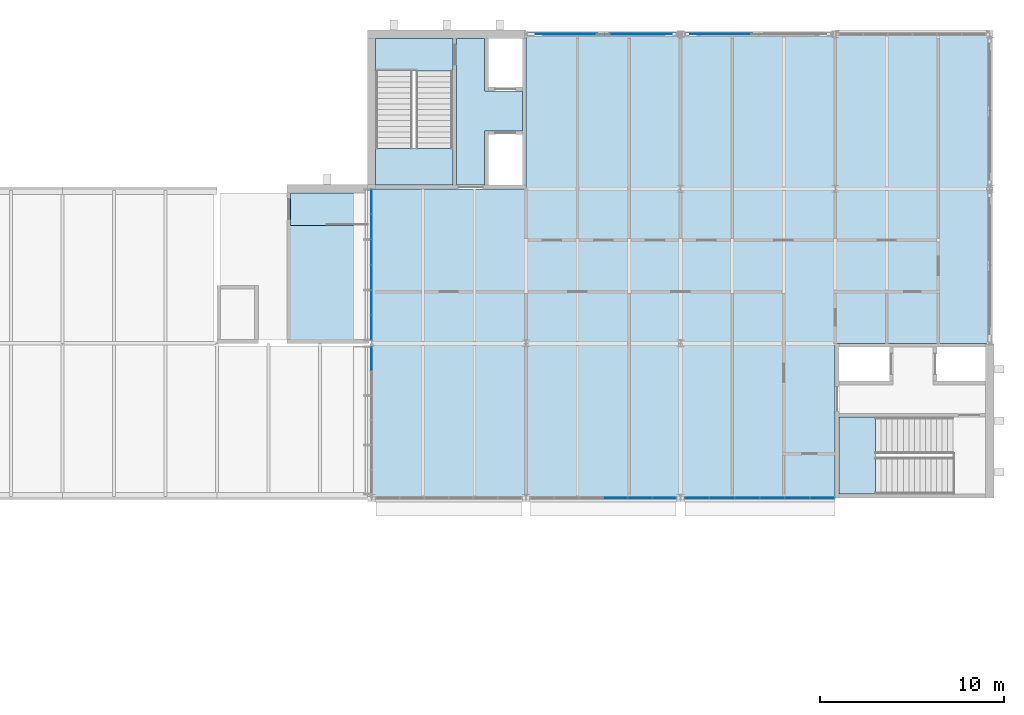
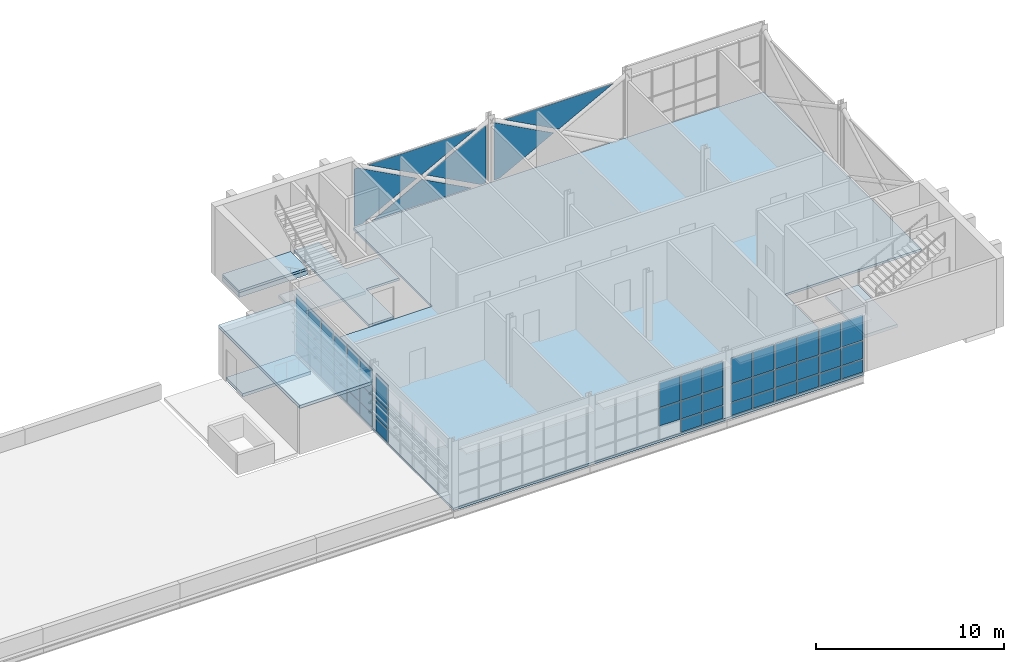
# One storey, part 18 of 29: 53 plates, 8 slabs, 8 elements without a shape of their own.
"""IFC4 building model written with IfcOpenShell, lengths in metres."""

from ifc_helpers import new_model, si_unit, direction, frame, origin, origin_2d, place, context, subcontext, project, spatial, polyline, rectangle, outline, extrude, material, layer, layer_set, type_object, element, aggregate, save


model = new_model("IFC4")

# Units and contexts
model_context = context("Model", 3, precision=1e-05, world=origin(), true_north=direction((0.0, 1.0)))
body_context = subcontext(model_context, "Body", "Model", "MODEL_VIEW")
ifc_project = project(units=[si_unit("LENGTHUNIT", "METRE"), si_unit("AREAUNIT", "SQUARE_METRE"), si_unit("VOLUMEUNIT", "CUBIC_METRE"), si_unit("PLANEANGLEUNIT", "RADIAN"), si_unit("MASSUNIT", "GRAM", prefix="KILO")], contexts=[model_context])

# Site, building, storey
site_placement = place(None, origin())
site = spatial("IfcSite", under=ifc_project, at=site_placement, CompositionType="ELEMENT")
building_placement = place(site_placement, origin())
building = spatial("IfcBuilding", under=site, at=building_placement, Name="Ardhachandra Cancer Care Centre", CompositionType="ELEMENT")
storey_placement = place(building_placement, frame((0.0, 0.0, 13.5)))
storey = spatial("IfcBuildingStorey", under=building, at=storey_placement, Name="L03", CompositionType="ELEMENT", Elevation=13.5)

# Slabs
ifc_material_1 = material(Name="Composite slab Concrete M30 on steel deck", Category="concrete")
ifc_layer_1 = layer(ifc_material_1, 0.14990234375)
ifc_layer_set_1 = layer_set([ifc_layer_1], Name="Composite slab Concrete M30 on steel deck")
slab_type_1 = type_object("IfcSlabType", Name="Composite floor slab 150", PredefinedType="FLOOR", material=ifc_layer_set_1)
slab_1_placement = place(storey_placement, frame((0.0, 0.0, -0.14990234375)))
element("IfcSlab", 1, at=slab_1_placement, inside=storey, type_object=slab_type_1, Name="Floor slab V5", PredefinedType="FLOOR", context=body_context, shape_type="SweptSolid", body=[
    extrude(outline(polyline([(120.0, 105.0), (120.0, 96.60009765625), (111.60009765625, 96.60009765625), (111.60009765625, 88.199951171875), (111.60009765625, 79.800048828125), (136.800048828125, 79.800048828125), (136.800048828125, 88.199951171875), (145.199951171875, 88.199951171875), (145.199951171875, 105.0), (120.0, 105.0)])), origin(), (0.0, 0.0, 1.0), 0.14990234375),
])
ifc_material_2 = material(Name="Concrete M40", Category="concrete")
ifc_layer_2 = layer(ifc_material_2, 0.14990234375)
ifc_layer_set_2 = layer_set([ifc_layer_2], Name="Concrete M40")
slab_type_2 = type_object("IfcSlabType", Name="Core floor slab 150", PredefinedType="FLOOR", material=ifc_layer_set_2)
slab_2_placement = place(storey_placement, frame((0.0, 0.0, -0.14990234375)))
element("IfcSlab", 2, at=slab_2_placement, inside=storey, type_object=slab_type_2, Name="Core floor slab K12 L03 1", PredefinedType="FLOOR", context=body_context, shape_type="SweptSolid", body=[
    extrude(outline(polyline([(111.824951171875, 104.77490234375), (116.02490234375, 104.77490234375), (116.02490234375, 103.0), (111.824951171875, 103.0), (111.824951171875, 104.77490234375)])), origin(), (0.0, 0.0, 1.0), 0.14990234375),
])
slab_3_placement = place(storey_placement, frame((0.0, 0.0, -0.14990234375)))
element("IfcSlab", 3, at=slab_3_placement, inside=storey, type_object=slab_type_2, Name="Core floor slab K12 L03 2", PredefinedType="FLOOR", context=body_context, shape_type="SweptSolid", body=[
    extrude(outline(polyline([(119.800048828125, 99.75), (117.949951171875, 99.75), (117.75, 99.75), (117.75, 96.800048828125), (116.22509765625, 96.800048828125), (116.22509765625, 104.77490234375), (117.75, 104.77490234375), (117.75, 101.925048828125), (117.949951171875, 101.925048828125), (119.800048828125, 101.925048828125), (119.800048828125, 99.75)])), origin(), (0.0, 0.0, 1.0), 0.14990234375),
])
ifc_material_3 = material(Name="Concrete M40", Category="concrete")
ifc_layer_3 = layer(ifc_material_3, 0.199951171875)
ifc_layer_set_3 = layer_set([ifc_layer_3], Name="Concrete M40")
slab_type_3 = type_object("IfcSlabType", Name="Core head-house floor slab 200", PredefinedType="FLOOR", material=ifc_layer_set_3)
slab_4_placement = place(storey_placement, frame((0.0, 0.0, -0.199951171875)))
element("IfcSlab", 4, at=slab_4_placement, inside=storey, type_object=slab_type_3, Name="Stair head-house floor slab K7 1", PredefinedType="FLOOR", context=body_context, shape_type="SweptSolid", body=[
    extrude(outline(polyline([(107.199951171875, 96.375), (107.199951171875, 94.60009765625), (111.39990234375, 94.60009765625), (111.39990234375, 96.375), (107.199951171875, 96.375)])), origin(), (0.0, 0.0, 1.0), 0.199951171875),
])
ifc_material_4 = material(Name="Concrete M40", Category="concrete")
ifc_layer_4 = layer(ifc_material_4, 0.300048828125)
ifc_layer_set_4 = layer_set([ifc_layer_4], Name="Concrete M40")
slab_type_4 = type_object("IfcSlabType", Name="Core stair edge slab 300", PredefinedType="FLOOR", material=ifc_layer_set_4)
slab_5_placement = place(storey_placement, frame((0.0, 0.0, -0.449951171875)))
element("IfcSlab", 5, at=slab_5_placement, inside=storey, type_object=slab_type_4, Name="Core stair edge slab K12 L03", PredefinedType="FLOOR", context=body_context, shape_type="SweptSolid", body=[
    extrude(outline(polyline([(111.824951171875, 103.0), (116.02490234375, 103.0), (116.02490234375, 104.77490234375), (111.824951171875, 104.77490234375), (111.824951171875, 103.0)])), origin(), (0.0, 0.0, 1.0), 0.300048828125),
])

# Curtain wall, plates
ifc_material_5 = material(Name="Aluminium extrusion", Category="aluminium")
ifc_layer_5 = layer(ifc_material_5, 0.14990234375)
ifc_layer_set_5 = layer_set([ifc_layer_5], Name="Aluminium extrusion")
curtain_wall_type = type_object("IfcCurtainWallType", Name="Curtain wall run", PredefinedType="NOTDEFINED", material=ifc_layer_set_5)
curtain_wall_1_placement = place(storey_placement, origin())
curtain_wall_1 = element("IfcCurtainWall", 6, at=curtain_wall_1_placement, inside=storey, type_object=curtain_wall_type, Name="Curtain wall L03 n/0120000_0105000", PredefinedType="NOTDEFINED")
ifc_material_6 = material(Name="Low-iron double-glazed unit")
ifc_layer_6 = layer(ifc_material_6, 0.028076171875)
ifc_layer_set_6 = layer_set([ifc_layer_6], Name="Low-iron double-glazed unit")
plate_type_1 = type_object("IfcPlateType", Name="Curtain wall glazing 28", PredefinedType="CURTAIN_PANEL", material=ifc_layer_set_6)
plate_1_placement = place(storey_placement, frame((128.154541015625, 105.0, 3.7900390625), z_axis=(0.0, 1.0, 0.0), x_axis=(0.0, 0.0, -1.0)))
plate_1 = element("IfcPlate", 7, at=plate_1_placement, type_object=plate_type_1, Name="CW panel 1.1", PredefinedType="CURTAIN_PANEL", context=body_context, shape_type="SweptSolid", body=[
    extrude(outline(polyline([(0.0, 0.0), (3.72998046875, 0.0), (3.72998046875, 0.322021484375), (1.93994140625, 3.663330078125), (0.0, 0.0419921875), (0.0, 0.0)])), origin(), (0.0, 0.0, 1.0), 0.028076171875),
])
plate_2_placement = place(storey_placement, frame((127.5302734375, 105.0, 3.7900390625), z_axis=(0.0, 1.0, 0.0), x_axis=(-0.881498222146, 0.0, -0.472187340314)))
plate_2 = element("IfcPlate", 8, at=plate_2_placement, type_object=plate_type_1, Name="CW panel 1.1", PredefinedType="CURTAIN_PANEL", context=body_context, shape_type="SweptSolid", body=[
    extrude(outline(polyline([(0.0, 0.0), (3.778076171875, 0.0), (5.87109375, 3.14501953125), (0.0, 0.0)])), frame((0.0, 0.0, -0.028076171875)), (0.0, 0.0, 1.0), 0.028076171875),
])
plate_3_placement = place(storey_placement, frame((120.06005859375, 105.0, 0.06005859375), z_axis=(0.0, 1.0, 0.0), x_axis=(0.0, 0.0, 1.0)))
plate_3 = element("IfcPlate", 9, at=plate_3_placement, type_object=plate_type_1, Name="CW panel 1.1", PredefinedType="CURTAIN_PANEL", context=body_context, shape_type="SweptSolid", body=[
    extrude(outline(polyline([(0.0, 0.0), (3.72998046875, 0.0), (3.72998046875, 0.2275390625), (1.7900390625, 3.848876953125), (0.0, 0.50732421875), (0.0, 0.0)])), origin(), (0.0, 0.0, 1.0), 0.028076171875),
])
plate_4_placement = place(storey_placement, frame((121.14990234375, 105.0, 0.06005859375), z_axis=(0.0, 1.0, 0.0), x_axis=(0.881470529599, 0.0, 0.472239034228)))
plate_4 = element("IfcPlate", 10, at=plate_4_placement, type_object=plate_type_1, Name="CW panel 1.1", PredefinedType="CURTAIN_PANEL", context=body_context, shape_type="SweptSolid", body=[
    extrude(outline(polyline([(0.0, 0.0), (3.460205078125, 0.0), (5.377197265625, 2.880859375), (0.0, 0.0)])), frame((0.0, 0.0, -0.028076171875)), (0.0, 0.0, 1.0), 0.028076171875),
])
aggregate(curtain_wall_1, [plate_1, plate_2, plate_3, plate_4])

curtain_wall_2_placement = place(storey_placement, origin())
curtain_wall_2 = element("IfcCurtainWall", 11, at=curtain_wall_2_placement, inside=storey, type_object=curtain_wall_type, Name="Curtain wall L03 n/0128400_0105000", PredefinedType="NOTDEFINED")
plate_5_placement = place(storey_placement, frame((135.93017578125, 105.0, 3.7900390625), z_axis=(0.0, 1.0, 0.0), x_axis=(-0.881483812908, 0.0, -0.47221423907)))
plate_5 = element("IfcPlate", 12, at=plate_5_placement, type_object=plate_type_1, Name="CW panel 1.1", PredefinedType="CURTAIN_PANEL", context=body_context, shape_type="SweptSolid", body=[
    extrude(outline(polyline([(0.0, 0.0), (3.77783203125, 0.0), (5.87109375, 3.14501953125), (0.0, 0.0)])), frame((0.0, 0.0, -0.028076171875)), (0.0, 0.0, 1.0), 0.028076171875),
])
plate_6_placement = place(storey_placement, frame((128.6455078125, 105.0, 0.06005859375), z_axis=(0.0, 1.0, 0.0), x_axis=(0.0, 0.0, 1.0)))
plate_6 = element("IfcPlate", 13, at=plate_6_placement, type_object=plate_type_1, Name="CW panel 1.1", PredefinedType="CURTAIN_PANEL", context=body_context, shape_type="SweptSolid", body=[
    extrude(outline(polyline([(0.0, 0.0), (3.72998046875, 0.0), (3.72998046875, 0.0419921875), (1.7900390625, 3.663330078125), (0.0, 0.322021484375), (0.0, 0.0)])), origin(), (0.0, 0.0, 1.0), 0.028076171875),
])
aggregate(curtain_wall_2, [plate_5, plate_6])

curtain_wall_3_placement = place(storey_placement, origin())
curtain_wall_3 = element("IfcCurtainWall", 14, at=curtain_wall_3_placement, inside=storey, type_object=curtain_wall_type, Name="Curtain wall L03 s/0120000_0079800", PredefinedType="NOTDEFINED")
plate_7_placement = place(storey_placement, frame((124.8671875, 79.800048828125, 0.93017578125), z_axis=(0.0, 0.0, 1.0), x_axis=(1.0, 0.0, 0.0)))
plate_7 = element("IfcPlate", 15, at=plate_7_placement, type_object=plate_type_1, Name="CW panel 4.2", PredefinedType="CURTAIN_PANEL", context=body_context, shape_type="SweptSolid", body=[
    extrude(rectangle(XDim=1.274169921875, YDim=0.028076171875, at=origin_2d()), origin(), (0.0, 0.0, 1.0), 1.139892578125),
])
plate_8_placement = place(storey_placement, frame((124.8671875, 79.800048828125, 2.1298828125), z_axis=(0.0, 0.0, 1.0), x_axis=(1.0, 0.0, 0.0)))
plate_8 = element("IfcPlate", 16, at=plate_8_placement, type_object=plate_type_1, Name="CW panel 4.3", PredefinedType="CURTAIN_PANEL", context=body_context, shape_type="SweptSolid", body=[
    extrude(rectangle(XDim=1.274169921875, YDim=0.028076171875, at=origin_2d()), origin(), (0.0, 0.0, 1.0), 1.659912109375),
])
plate_9_placement = place(storey_placement, frame((126.201171875, 79.800048828125, 0.93017578125), z_axis=(0.0, 0.0, 1.0), x_axis=(1.0, 0.0, 0.0)))
plate_9 = element("IfcPlate", 17, at=plate_9_placement, type_object=plate_type_1, Name="CW panel 5.2", PredefinedType="CURTAIN_PANEL", context=body_context, shape_type="SweptSolid", body=[
    extrude(rectangle(XDim=1.274169921875, YDim=0.028076171875, at=origin_2d()), origin(), (0.0, 0.0, 1.0), 1.139892578125),
])
plate_10_placement = place(storey_placement, frame((126.201171875, 79.800048828125, 2.1298828125), z_axis=(0.0, 0.0, 1.0), x_axis=(1.0, 0.0, 0.0)))
plate_10 = element("IfcPlate", 18, at=plate_10_placement, type_object=plate_type_1, Name="CW panel 5.3", PredefinedType="CURTAIN_PANEL", context=body_context, shape_type="SweptSolid", body=[
    extrude(rectangle(XDim=1.274169921875, YDim=0.028076171875, at=origin_2d()), origin(), (0.0, 0.0, 1.0), 1.659912109375),
])
plate_11_placement = place(storey_placement, frame((127.5205078125, 79.800048828125, 0.93017578125), z_axis=(0.0, 0.0, 1.0), x_axis=(1.0, 0.0, 0.0)))
plate_11 = element("IfcPlate", 19, at=plate_11_placement, type_object=plate_type_1, Name="CW panel 6.2", PredefinedType="CURTAIN_PANEL", context=body_context, shape_type="SweptSolid", body=[
    extrude(rectangle(XDim=1.244140625, YDim=0.028076171875, at=origin_2d()), origin(), (0.0, 0.0, 1.0), 1.139892578125),
])
plate_12_placement = place(storey_placement, frame((127.5205078125, 79.800048828125, 2.1298828125), z_axis=(0.0, 0.0, 1.0), x_axis=(1.0, 0.0, 0.0)))
plate_12 = element("IfcPlate", 20, at=plate_12_placement, type_object=plate_type_1, Name="CW panel 6.3", PredefinedType="CURTAIN_PANEL", context=body_context, shape_type="SweptSolid", body=[
    extrude(rectangle(XDim=1.244140625, YDim=0.028076171875, at=origin_2d()), origin(), (0.0, 0.0, 1.0), 1.659912109375),
])

curtain_wall_4_placement = place(storey_placement, origin())
curtain_wall_4 = element("IfcCurtainWall", 21, at=curtain_wall_4_placement, inside=storey, type_object=curtain_wall_type, Name="Curtain wall L03 s/0128400_0079800", PredefinedType="NOTDEFINED")
plate_13_placement = place(storey_placement, frame((129.296142578125, 79.800048828125, 0.93017578125), z_axis=(0.0, 0.0, 1.0), x_axis=(1.0, 0.0, 0.0)))
plate_13 = element("IfcPlate", 22, at=plate_13_placement, type_object=plate_type_1, Name="CW panel 1.2", PredefinedType="CURTAIN_PANEL", context=body_context, shape_type="SweptSolid", body=[
    extrude(rectangle(XDim=1.277099609375, YDim=0.028076171875, at=origin_2d()), origin(), (0.0, 0.0, 1.0), 1.139892578125),
])
plate_14_placement = place(storey_placement, frame((129.296142578125, 79.800048828125, 2.1298828125), z_axis=(0.0, 0.0, 1.0), x_axis=(1.0, 0.0, 0.0)))
plate_14 = element("IfcPlate", 23, at=plate_14_placement, type_object=plate_type_1, Name="CW panel 1.3", PredefinedType="CURTAIN_PANEL", context=body_context, shape_type="SweptSolid", body=[
    extrude(rectangle(XDim=1.277099609375, YDim=0.028076171875, at=origin_2d()), origin(), (0.0, 0.0, 1.0), 1.659912109375),
])
plate_15_placement = place(storey_placement, frame((130.648193359375, 79.800048828125, 0.93017578125), z_axis=(0.0, 0.0, 1.0), x_axis=(1.0, 0.0, 0.0)))
plate_15 = element("IfcPlate", 24, at=plate_15_placement, type_object=plate_type_1, Name="CW panel 2.2", PredefinedType="CURTAIN_PANEL", context=body_context, shape_type="SweptSolid", body=[
    extrude(rectangle(XDim=1.30712890625, YDim=0.028076171875, at=origin_2d()), origin(), (0.0, 0.0, 1.0), 1.139892578125),
])
plate_16_placement = place(storey_placement, frame((130.648193359375, 79.800048828125, 2.1298828125), z_axis=(0.0, 0.0, 1.0), x_axis=(1.0, 0.0, 0.0)))
plate_16 = element("IfcPlate", 25, at=plate_16_placement, type_object=plate_type_1, Name="CW panel 2.3", PredefinedType="CURTAIN_PANEL", context=body_context, shape_type="SweptSolid", body=[
    extrude(rectangle(XDim=1.30712890625, YDim=0.028076171875, at=origin_2d()), origin(), (0.0, 0.0, 1.0), 1.659912109375),
])
plate_17_placement = place(storey_placement, frame((132.01513671875, 79.800048828125, 0.93017578125), z_axis=(0.0, 0.0, 1.0), x_axis=(1.0, 0.0, 0.0)))
plate_17 = element("IfcPlate", 26, at=plate_17_placement, type_object=plate_type_1, Name="CW panel 3.2", PredefinedType="CURTAIN_PANEL", context=body_context, shape_type="SweptSolid", body=[
    extrude(rectangle(XDim=1.30712890625, YDim=0.028076171875, at=origin_2d()), origin(), (0.0, 0.0, 1.0), 1.139892578125),
])
plate_18_placement = place(storey_placement, frame((132.01513671875, 79.800048828125, 2.1298828125), z_axis=(0.0, 0.0, 1.0), x_axis=(1.0, 0.0, 0.0)))
plate_18 = element("IfcPlate", 27, at=plate_18_placement, type_object=plate_type_1, Name="CW panel 3.3", PredefinedType="CURTAIN_PANEL", context=body_context, shape_type="SweptSolid", body=[
    extrude(rectangle(XDim=1.30712890625, YDim=0.028076171875, at=origin_2d()), origin(), (0.0, 0.0, 1.0), 1.659912109375),
])
plate_19_placement = place(storey_placement, frame((133.38232421875, 79.800048828125, 0.93017578125), z_axis=(0.0, 0.0, 1.0), x_axis=(1.0, 0.0, 0.0)))
plate_19 = element("IfcPlate", 28, at=plate_19_placement, type_object=plate_type_1, Name="CW panel 4.2", PredefinedType="CURTAIN_PANEL", context=body_context, shape_type="SweptSolid", body=[
    extrude(rectangle(XDim=1.30712890625, YDim=0.028076171875, at=origin_2d()), origin(), (0.0, 0.0, 1.0), 1.139892578125),
])
plate_20_placement = place(storey_placement, frame((133.38232421875, 79.800048828125, 2.1298828125), z_axis=(0.0, 0.0, 1.0), x_axis=(1.0, 0.0, 0.0)))
plate_20 = element("IfcPlate", 29, at=plate_20_placement, type_object=plate_type_1, Name="CW panel 4.3", PredefinedType="CURTAIN_PANEL", context=body_context, shape_type="SweptSolid", body=[
    extrude(rectangle(XDim=1.30712890625, YDim=0.028076171875, at=origin_2d()), origin(), (0.0, 0.0, 1.0), 1.659912109375),
])

curtain_wall_5_placement = place(storey_placement, origin())
curtain_wall_5 = element("IfcCurtainWall", 30, at=curtain_wall_5_placement, inside=storey, type_object=curtain_wall_type, Name="Curtain wall L03 w/0111600_0079800", PredefinedType="NOTDEFINED")
plate_21_placement = place(storey_placement, frame((111.60009765625, 87.36328125, 0.93017578125), z_axis=(0.0, 0.0, 1.0), x_axis=(0.0, 1.0, 0.0)))
plate_21 = element("IfcPlate", 31, at=plate_21_placement, type_object=plate_type_1, Name="CW panel 6.2", PredefinedType="CURTAIN_PANEL", context=body_context, shape_type="SweptSolid", body=[
    extrude(rectangle(XDim=1.25341796875, YDim=0.028076171875, at=origin_2d()), origin(), (0.0, 0.0, 1.0), 1.139892578125),
])
plate_22_placement = place(storey_placement, frame((111.60009765625, 87.36328125, 2.1298828125), z_axis=(0.0, 0.0, 1.0), x_axis=(0.0, 1.0, 0.0)))
plate_22 = element("IfcPlate", 32, at=plate_22_placement, type_object=plate_type_1, Name="CW panel 6.3", PredefinedType="CURTAIN_PANEL", context=body_context, shape_type="SweptSolid", body=[
    extrude(rectangle(XDim=1.25341796875, YDim=0.028076171875, at=origin_2d()), origin(), (0.0, 0.0, 1.0), 1.659912109375),
])

curtain_wall_6_placement = place(storey_placement, origin())
curtain_wall_6 = element("IfcCurtainWall", 33, at=curtain_wall_6_placement, inside=storey, type_object=curtain_wall_type, Name="Curtain wall L03 w/0111600_0088200", PredefinedType="NOTDEFINED")
plate_23_placement = place(storey_placement, frame((111.60009765625, 89.052490234375, 0.93017578125), z_axis=(0.0, 0.0, 1.0), x_axis=(0.0, 1.0, 0.0)))
plate_23 = element("IfcPlate", 34, at=plate_23_placement, type_object=plate_type_1, Name="CW panel 1.2", PredefinedType="CURTAIN_PANEL", context=body_context, shape_type="SweptSolid", body=[
    extrude(rectangle(XDim=1.284912109375, YDim=0.028076171875, at=origin_2d()), origin(), (0.0, 0.0, 1.0), 1.139892578125),
])
plate_24_placement = place(storey_placement, frame((111.60009765625, 89.052490234375, 2.1298828125), z_axis=(0.0, 0.0, 1.0), x_axis=(0.0, 1.0, 0.0)))
plate_24 = element("IfcPlate", 35, at=plate_24_placement, type_object=plate_type_1, Name="CW panel 1.3", PredefinedType="CURTAIN_PANEL", context=body_context, shape_type="SweptSolid", body=[
    extrude(rectangle(XDim=1.284912109375, YDim=0.028076171875, at=origin_2d()), origin(), (0.0, 0.0, 1.0), 1.659912109375),
])
plate_25_placement = place(storey_placement, frame((111.60009765625, 90.41259765625, 0.93017578125), z_axis=(0.0, 0.0, 1.0), x_axis=(0.0, 1.0, 0.0)))
plate_25 = element("IfcPlate", 36, at=plate_25_placement, type_object=plate_type_1, Name="CW panel 2.2", PredefinedType="CURTAIN_PANEL", context=body_context, shape_type="SweptSolid", body=[
    extrude(rectangle(XDim=1.31494140625, YDim=0.028076171875, at=origin_2d()), origin(), (0.0, 0.0, 1.0), 1.139892578125),
])
plate_26_placement = place(storey_placement, frame((111.60009765625, 90.41259765625, 2.1298828125), z_axis=(0.0, 0.0, 1.0), x_axis=(0.0, 1.0, 0.0)))
plate_26 = element("IfcPlate", 37, at=plate_26_placement, type_object=plate_type_1, Name="CW panel 2.3", PredefinedType="CURTAIN_PANEL", context=body_context, shape_type="SweptSolid", body=[
    extrude(rectangle(XDim=1.31494140625, YDim=0.028076171875, at=origin_2d()), origin(), (0.0, 0.0, 1.0), 1.659912109375),
])
plate_27_placement = place(storey_placement, frame((111.60009765625, 91.78759765625, 0.93017578125), z_axis=(0.0, 0.0, 1.0), x_axis=(0.0, 1.0, 0.0)))
plate_27 = element("IfcPlate", 38, at=plate_27_placement, type_object=plate_type_1, Name="CW panel 3.2", PredefinedType="CURTAIN_PANEL", context=body_context, shape_type="SweptSolid", body=[
    extrude(rectangle(XDim=1.31494140625, YDim=0.028076171875, at=origin_2d()), origin(), (0.0, 0.0, 1.0), 1.139892578125),
])
plate_28_placement = place(storey_placement, frame((111.60009765625, 91.78759765625, 2.1298828125), z_axis=(0.0, 0.0, 1.0), x_axis=(0.0, 1.0, 0.0)))
plate_28 = element("IfcPlate", 39, at=plate_28_placement, type_object=plate_type_1, Name="CW panel 3.3", PredefinedType="CURTAIN_PANEL", context=body_context, shape_type="SweptSolid", body=[
    extrude(rectangle(XDim=1.31494140625, YDim=0.028076171875, at=origin_2d()), origin(), (0.0, 0.0, 1.0), 1.659912109375),
])
plate_29_placement = place(storey_placement, frame((111.60009765625, 93.16259765625, 0.93017578125), z_axis=(0.0, 0.0, 1.0), x_axis=(0.0, 1.0, 0.0)))
plate_29 = element("IfcPlate", 40, at=plate_29_placement, type_object=plate_type_1, Name="CW panel 4.2", PredefinedType="CURTAIN_PANEL", context=body_context, shape_type="SweptSolid", body=[
    extrude(rectangle(XDim=1.31494140625, YDim=0.028076171875, at=origin_2d()), origin(), (0.0, 0.0, 1.0), 1.139892578125),
])
plate_30_placement = place(storey_placement, frame((111.60009765625, 93.16259765625, 2.1298828125), z_axis=(0.0, 0.0, 1.0), x_axis=(0.0, 1.0, 0.0)))
plate_30 = element("IfcPlate", 41, at=plate_30_placement, type_object=plate_type_1, Name="CW panel 4.3", PredefinedType="CURTAIN_PANEL", context=body_context, shape_type="SweptSolid", body=[
    extrude(rectangle(XDim=1.31494140625, YDim=0.028076171875, at=origin_2d()), origin(), (0.0, 0.0, 1.0), 1.659912109375),
])
plate_31_placement = place(storey_placement, frame((111.60009765625, 94.53759765625, 0.93017578125), z_axis=(0.0, 0.0, 1.0), x_axis=(0.0, 1.0, 0.0)))
plate_31 = element("IfcPlate", 42, at=plate_31_placement, type_object=plate_type_1, Name="CW panel 5.2", PredefinedType="CURTAIN_PANEL", context=body_context, shape_type="SweptSolid", body=[
    extrude(rectangle(XDim=1.31494140625, YDim=0.028076171875, at=origin_2d()), origin(), (0.0, 0.0, 1.0), 1.139892578125),
])
plate_32_placement = place(storey_placement, frame((111.60009765625, 94.53759765625, 2.1298828125), z_axis=(0.0, 0.0, 1.0), x_axis=(0.0, 1.0, 0.0)))
plate_32 = element("IfcPlate", 43, at=plate_32_placement, type_object=plate_type_1, Name="CW panel 5.3", PredefinedType="CURTAIN_PANEL", context=body_context, shape_type="SweptSolid", body=[
    extrude(rectangle(XDim=1.31494140625, YDim=0.028076171875, at=origin_2d()), origin(), (0.0, 0.0, 1.0), 1.659912109375),
])
plate_33_placement = place(storey_placement, frame((111.60009765625, 95.8974609375, 0.93017578125), z_axis=(0.0, 0.0, 1.0), x_axis=(0.0, 1.0, 0.0)))
plate_33 = element("IfcPlate", 44, at=plate_33_placement, type_object=plate_type_1, Name="CW panel 6.2", PredefinedType="CURTAIN_PANEL", context=body_context, shape_type="SweptSolid", body=[
    extrude(rectangle(XDim=1.284912109375, YDim=0.028076171875, at=origin_2d()), origin(), (0.0, 0.0, 1.0), 1.139892578125),
])
plate_34_placement = place(storey_placement, frame((111.60009765625, 95.8974609375, 2.1298828125), z_axis=(0.0, 0.0, 1.0), x_axis=(0.0, 1.0, 0.0)))
plate_34 = element("IfcPlate", 45, at=plate_34_placement, type_object=plate_type_1, Name="CW panel 6.3", PredefinedType="CURTAIN_PANEL", context=body_context, shape_type="SweptSolid", body=[
    extrude(rectangle(XDim=1.284912109375, YDim=0.028076171875, at=origin_2d()), origin(), (0.0, 0.0, 1.0), 1.659912109375),
])

# Plate
ifc_material_7 = material(Name="Aluminium composite spandrel panel", Category="aluminium")
ifc_layer_7 = layer(ifc_material_7, 0.028076171875)
ifc_layer_set_7 = layer_set([ifc_layer_7], Name="Aluminium composite spandrel panel")
plate_type_2 = type_object("IfcPlateType", Name="Curtain wall spandrel panel 28", PredefinedType="CURTAIN_PANEL", material=ifc_layer_set_7)
plate_35_placement = place(storey_placement, frame((126.201171875, 79.800048828125, 0.06005859375), z_axis=(0.0, 0.0, 1.0), x_axis=(1.0, 0.0, 0.0)))
plate_35 = element("IfcPlate", 46, at=plate_35_placement, type_object=plate_type_2, Name="CW panel 5.1", PredefinedType="CURTAIN_PANEL", context=body_context, shape_type="SweptSolid", body=[
    extrude(rectangle(XDim=1.274169921875, YDim=0.028076171875, at=origin_2d()), origin(), (0.0, 0.0, 1.0), 0.81005859375),
])

plate_36_placement = place(storey_placement, frame((127.5205078125, 79.800048828125, 0.06005859375), z_axis=(0.0, 0.0, 1.0), x_axis=(1.0, 0.0, 0.0)))
plate_36 = element("IfcPlate", 47, at=plate_36_placement, type_object=plate_type_2, Name="CW panel 6.1", PredefinedType="CURTAIN_PANEL", context=body_context, shape_type="SweptSolid", body=[
    extrude(rectangle(XDim=1.244140625, YDim=0.028076171875, at=origin_2d()), origin(), (0.0, 0.0, 1.0), 0.81005859375),
])

aggregate(curtain_wall_3, [plate_7, plate_8, plate_35, plate_9, plate_10, plate_36, plate_11, plate_12])

plate_37_placement = place(storey_placement, frame((129.296142578125, 79.800048828125, 0.06005859375), z_axis=(0.0, 0.0, 1.0), x_axis=(1.0, 0.0, 0.0)))
plate_37 = element("IfcPlate", 48, at=plate_37_placement, type_object=plate_type_2, Name="CW panel 1.1", PredefinedType="CURTAIN_PANEL", context=body_context, shape_type="SweptSolid", body=[
    extrude(rectangle(XDim=1.277099609375, YDim=0.028076171875, at=origin_2d()), origin(), (0.0, 0.0, 1.0), 0.81005859375),
])

plate_38_placement = place(storey_placement, frame((130.648193359375, 79.800048828125, 0.06005859375), z_axis=(0.0, 0.0, 1.0), x_axis=(1.0, 0.0, 0.0)))
plate_38 = element("IfcPlate", 49, at=plate_38_placement, type_object=plate_type_2, Name="CW panel 2.1", PredefinedType="CURTAIN_PANEL", context=body_context, shape_type="SweptSolid", body=[
    extrude(rectangle(XDim=1.30712890625, YDim=0.028076171875, at=origin_2d()), origin(), (0.0, 0.0, 1.0), 0.81005859375),
])

plate_39_placement = place(storey_placement, frame((132.01513671875, 79.800048828125, 0.06005859375), z_axis=(0.0, 0.0, 1.0), x_axis=(1.0, 0.0, 0.0)))
plate_39 = element("IfcPlate", 50, at=plate_39_placement, type_object=plate_type_2, Name="CW panel 3.1", PredefinedType="CURTAIN_PANEL", context=body_context, shape_type="SweptSolid", body=[
    extrude(rectangle(XDim=1.30712890625, YDim=0.028076171875, at=origin_2d()), origin(), (0.0, 0.0, 1.0), 0.81005859375),
])

plate_40_placement = place(storey_placement, frame((133.38232421875, 79.800048828125, 0.06005859375), z_axis=(0.0, 0.0, 1.0), x_axis=(1.0, 0.0, 0.0)))
plate_40 = element("IfcPlate", 51, at=plate_40_placement, type_object=plate_type_2, Name="CW panel 4.1", PredefinedType="CURTAIN_PANEL", context=body_context, shape_type="SweptSolid", body=[
    extrude(rectangle(XDim=1.30712890625, YDim=0.028076171875, at=origin_2d()), origin(), (0.0, 0.0, 1.0), 0.81005859375),
])

plate_41_placement = place(storey_placement, frame((134.749267578125, 79.800048828125, 0.06005859375), z_axis=(0.0, 0.0, 1.0), x_axis=(1.0, 0.0, 0.0)))
plate_41 = element("IfcPlate", 52, at=plate_41_placement, type_object=plate_type_2, Name="CW panel 5.1", PredefinedType="CURTAIN_PANEL", context=body_context, shape_type="SweptSolid", body=[
    extrude(rectangle(XDim=1.30712890625, YDim=0.028076171875, at=origin_2d()), origin(), (0.0, 0.0, 1.0), 0.81005859375),
])

plate_42_placement = place(storey_placement, frame((134.749267578125, 79.800048828125, 0.93017578125), z_axis=(0.0, 0.0, 1.0), x_axis=(1.0, 0.0, 0.0)))
plate_42 = element("IfcPlate", 53, at=plate_42_placement, type_object=plate_type_2, Name="CW panel 5.2", PredefinedType="CURTAIN_PANEL", context=body_context, shape_type="SweptSolid", body=[
    extrude(rectangle(XDim=1.30712890625, YDim=0.028076171875, at=origin_2d()), origin(), (0.0, 0.0, 1.0), 1.139892578125),
])

plate_43_placement = place(storey_placement, frame((134.749267578125, 79.800048828125, 2.1298828125), z_axis=(0.0, 0.0, 1.0), x_axis=(1.0, 0.0, 0.0)))
plate_43 = element("IfcPlate", 54, at=plate_43_placement, type_object=plate_type_2, Name="CW panel 5.3", PredefinedType="CURTAIN_PANEL", context=body_context, shape_type="SweptSolid", body=[
    extrude(rectangle(XDim=1.30712890625, YDim=0.028076171875, at=origin_2d()), origin(), (0.0, 0.0, 1.0), 1.659912109375),
])

plate_44_placement = place(storey_placement, frame((136.1015625, 79.800048828125, 0.06005859375), z_axis=(0.0, 0.0, 1.0), x_axis=(1.0, 0.0, 0.0)))
plate_44 = element("IfcPlate", 55, at=plate_44_placement, type_object=plate_type_2, Name="CW panel 6.1", PredefinedType="CURTAIN_PANEL", context=body_context, shape_type="SweptSolid", body=[
    extrude(rectangle(XDim=1.277099609375, YDim=0.028076171875, at=origin_2d()), origin(), (0.0, 0.0, 1.0), 0.81005859375),
])

plate_45_placement = place(storey_placement, frame((136.1015625, 79.800048828125, 0.93017578125), z_axis=(0.0, 0.0, 1.0), x_axis=(1.0, 0.0, 0.0)))
plate_45 = element("IfcPlate", 56, at=plate_45_placement, type_object=plate_type_2, Name="CW panel 6.2", PredefinedType="CURTAIN_PANEL", context=body_context, shape_type="SweptSolid", body=[
    extrude(rectangle(XDim=1.277099609375, YDim=0.028076171875, at=origin_2d()), origin(), (0.0, 0.0, 1.0), 1.139892578125),
])

plate_46_placement = place(storey_placement, frame((136.1015625, 79.800048828125, 2.1298828125), z_axis=(0.0, 0.0, 1.0), x_axis=(1.0, 0.0, 0.0)))
plate_46 = element("IfcPlate", 57, at=plate_46_placement, type_object=plate_type_2, Name="CW panel 6.3", PredefinedType="CURTAIN_PANEL", context=body_context, shape_type="SweptSolid", body=[
    extrude(rectangle(XDim=1.277099609375, YDim=0.028076171875, at=origin_2d()), origin(), (0.0, 0.0, 1.0), 1.659912109375),
])

aggregate(curtain_wall_4, [plate_37, plate_13, plate_14, plate_38, plate_15, plate_16, plate_39, plate_17, plate_18, plate_40, plate_19, plate_20, plate_41, plate_42, plate_43, plate_44, plate_45, plate_46])

plate_47_placement = place(storey_placement, frame((111.60009765625, 87.36328125, 0.06005859375), z_axis=(0.0, 0.0, 1.0), x_axis=(0.0, 1.0, 0.0)))
plate_47 = element("IfcPlate", 58, at=plate_47_placement, type_object=plate_type_2, Name="CW panel 6.1", PredefinedType="CURTAIN_PANEL", context=body_context, shape_type="SweptSolid", body=[
    extrude(rectangle(XDim=1.25341796875, YDim=0.028076171875, at=origin_2d()), origin(), (0.0, 0.0, 1.0), 0.81005859375),
])

aggregate(curtain_wall_5, [plate_47, plate_21, plate_22])

plate_48_placement = place(storey_placement, frame((111.60009765625, 89.052490234375, 0.06005859375), z_axis=(0.0, 0.0, 1.0), x_axis=(0.0, 1.0, 0.0)))
plate_48 = element("IfcPlate", 59, at=plate_48_placement, type_object=plate_type_2, Name="CW panel 1.1", PredefinedType="CURTAIN_PANEL", context=body_context, shape_type="SweptSolid", body=[
    extrude(rectangle(XDim=1.284912109375, YDim=0.028076171875, at=origin_2d()), origin(), (0.0, 0.0, 1.0), 0.81005859375),
])

plate_49_placement = place(storey_placement, frame((111.60009765625, 90.41259765625, 0.06005859375), z_axis=(0.0, 0.0, 1.0), x_axis=(0.0, 1.0, 0.0)))
plate_49 = element("IfcPlate", 60, at=plate_49_placement, type_object=plate_type_2, Name="CW panel 2.1", PredefinedType="CURTAIN_PANEL", context=body_context, shape_type="SweptSolid", body=[
    extrude(rectangle(XDim=1.31494140625, YDim=0.028076171875, at=origin_2d()), origin(), (0.0, 0.0, 1.0), 0.81005859375),
])

plate_50_placement = place(storey_placement, frame((111.60009765625, 91.78759765625, 0.06005859375), z_axis=(0.0, 0.0, 1.0), x_axis=(0.0, 1.0, 0.0)))
plate_50 = element("IfcPlate", 61, at=plate_50_placement, type_object=plate_type_2, Name="CW panel 3.1", PredefinedType="CURTAIN_PANEL", context=body_context, shape_type="SweptSolid", body=[
    extrude(rectangle(XDim=1.31494140625, YDim=0.028076171875, at=origin_2d()), origin(), (0.0, 0.0, 1.0), 0.81005859375),
])

plate_51_placement = place(storey_placement, frame((111.60009765625, 93.16259765625, 0.06005859375), z_axis=(0.0, 0.0, 1.0), x_axis=(0.0, 1.0, 0.0)))
plate_51 = element("IfcPlate", 62, at=plate_51_placement, type_object=plate_type_2, Name="CW panel 4.1", PredefinedType="CURTAIN_PANEL", context=body_context, shape_type="SweptSolid", body=[
    extrude(rectangle(XDim=1.31494140625, YDim=0.028076171875, at=origin_2d()), origin(), (0.0, 0.0, 1.0), 0.81005859375),
])

plate_52_placement = place(storey_placement, frame((111.60009765625, 94.53759765625, 0.06005859375), z_axis=(0.0, 0.0, 1.0), x_axis=(0.0, 1.0, 0.0)))
plate_52 = element("IfcPlate", 63, at=plate_52_placement, type_object=plate_type_2, Name="CW panel 5.1", PredefinedType="CURTAIN_PANEL", context=body_context, shape_type="SweptSolid", body=[
    extrude(rectangle(XDim=1.31494140625, YDim=0.028076171875, at=origin_2d()), origin(), (0.0, 0.0, 1.0), 0.81005859375),
])

plate_53_placement = place(storey_placement, frame((111.60009765625, 95.8974609375, 0.06005859375), z_axis=(0.0, 0.0, 1.0), x_axis=(0.0, 1.0, 0.0)))
plate_53 = element("IfcPlate", 64, at=plate_53_placement, type_object=plate_type_2, Name="CW panel 6.1", PredefinedType="CURTAIN_PANEL", context=body_context, shape_type="SweptSolid", body=[
    extrude(rectangle(XDim=1.284912109375, YDim=0.028076171875, at=origin_2d()), origin(), (0.0, 0.0, 1.0), 0.81005859375),
])

aggregate(curtain_wall_6, [plate_48, plate_23, plate_24, plate_49, plate_25, plate_26, plate_50, plate_27, plate_28, plate_51, plate_29, plate_30, plate_52, plate_31, plate_32, plate_53, plate_33, plate_34])

# Slab
ifc_material_8 = material(Name="Concrete M40", Category="concrete")
ifc_layer_8 = layer(ifc_material_8, 0.199951171875)
ifc_layer_set_8 = layer_set([ifc_layer_8], Name="Concrete M40")
slab_type_5 = type_object("IfcSlabType", Name="Head-house and overrun roof slab 200", PredefinedType="ROOF", material=ifc_layer_set_8)
slab_6_placement = place(storey_placement, frame((0.0, 0.0, 3.0)))
element("IfcSlab", 65, at=slab_6_placement, inside=storey, type_object=slab_type_5, Name="Stair head-house roof K7", PredefinedType="ROOF", context=body_context, shape_type="SweptSolid", body=[
    extrude(outline(polyline([(107.0, 88.199951171875), (107.0, 96.824951171875), (111.60009765625, 96.824951171875), (111.60009765625, 88.35009765625), (111.449951171875, 88.35009765625), (111.449951171875, 88.199951171875), (107.0, 88.199951171875)])), origin(), (0.0, 0.0, 1.0), 0.199951171875),
])

# Stair, slab
ifc_material_9 = material(Name="Concrete M40", Category="concrete")
stair_type = type_object("IfcStairType", Name="Dog-leg stair 2000", PredefinedType="HALF_TURN_STAIR", material=ifc_material_9)
stair_1_placement = place(storey_placement, origin())
stair_1 = element("IfcStair", 66, at=stair_1_placement, inside=storey, type_object=stair_type, Name="Stair K12 L03-L04", PredefinedType="HALF_TURN_STAIR")
ifc_material_10 = material(Name="Concrete M40", Category="concrete")
ifc_layer_9 = layer(ifc_material_10, 0.199951171875)
ifc_layer_set_9 = layer_set([ifc_layer_9], Name="Concrete M40")
slab_type_6 = type_object("IfcSlabType", Name="Stair landing 200", PredefinedType="LANDING", material=ifc_layer_set_9)
slab_7_placement = place(storey_placement, frame((0.0, 0.0, 2.050048828125)))
slab_7 = element("IfcSlab", 67, at=slab_7_placement, type_object=slab_type_6, Name="stair K12 L03-L04 landing 1", PredefinedType="LANDING", context=body_context, shape_type="SweptSolid", body=[
    extrude(outline(polyline([(111.824951171875, 96.800048828125), (116.02490234375, 96.800048828125), (116.02490234375, 98.800048828125), (111.824951171875, 98.800048828125), (111.824951171875, 96.800048828125)])), origin(), (0.0, 0.0, 1.0), 0.199951171875),
])
aggregate(stair_1, [slab_7])

stair_2_placement = place(storey_placement, origin())
stair_2 = element("IfcStair", 68, at=stair_2_placement, inside=storey, type_object=stair_type, Name="Stair K13 L03-L04", PredefinedType="HALF_TURN_STAIR")
slab_8_placement = place(storey_placement, frame((0.0, 0.0, 2.050048828125)))
slab_8 = element("IfcSlab", 69, at=slab_8_placement, type_object=slab_type_6, Name="stair K13 L03-L04 landing 1", PredefinedType="LANDING", context=body_context, shape_type="SweptSolid", body=[
    extrude(outline(polyline([(137.0, 80.0), (139.0, 80.0), (139.0, 84.199951171875), (137.0, 84.199951171875), (137.0, 80.0)])), origin(), (0.0, 0.0, 1.0), 0.199951171875),
])
aggregate(stair_2, [slab_8])

save(model, "model.ifc")
